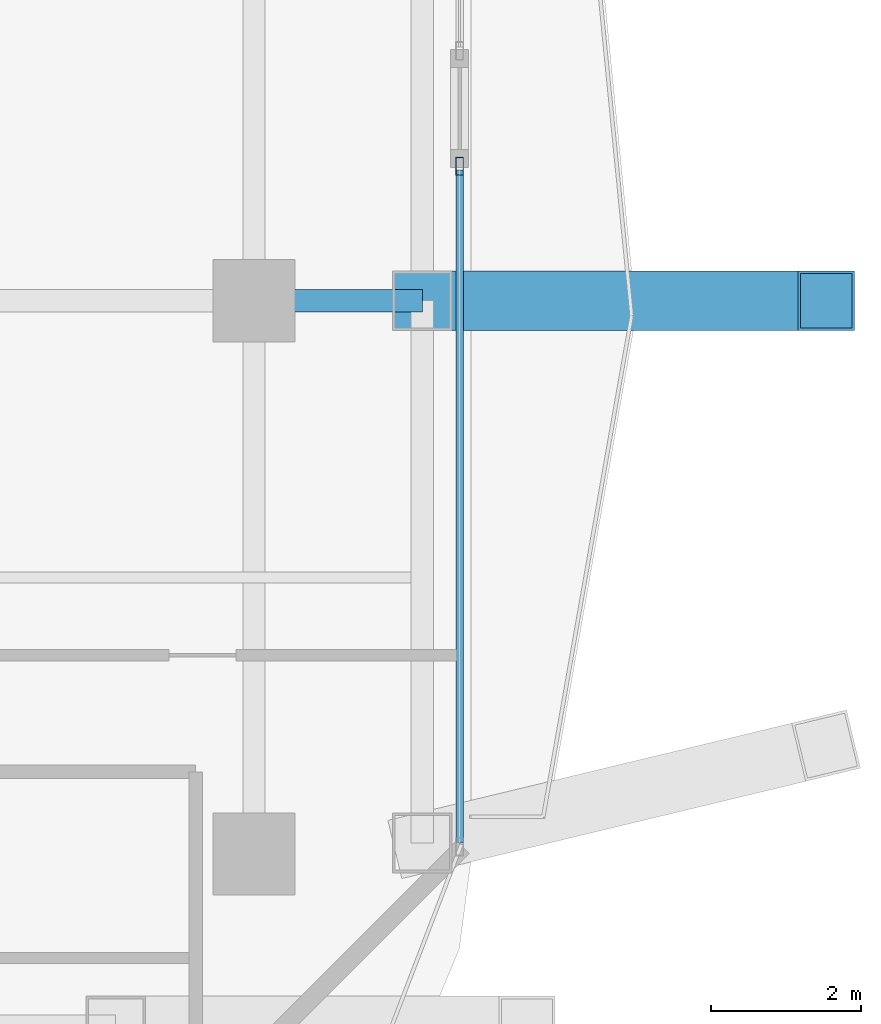
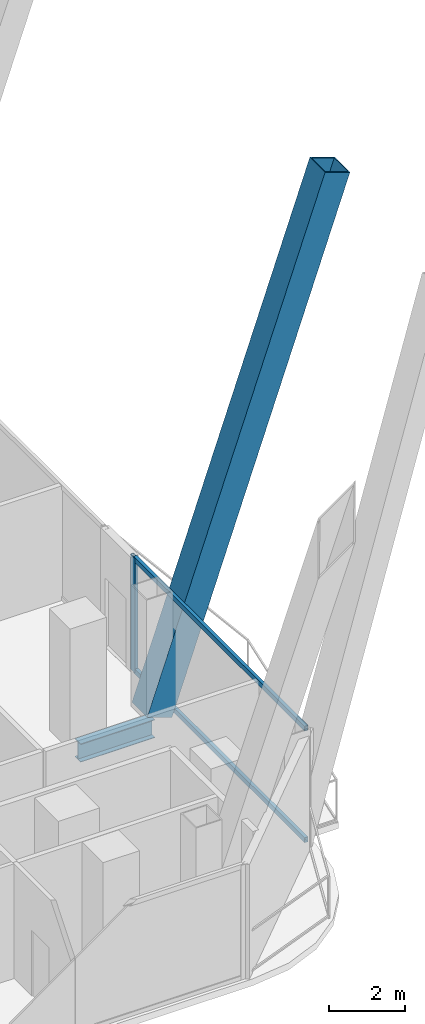
# One storey, part 12 of 32: 4 members, 1 beam, 1 element without a shape of its own.
"""IFC4 building model written with IfcOpenShell, lengths in metres."""

from ifc_helpers import new_model, si_unit, direction, frame, origin, origin_2d, place, context, subcontext, project, spatial, hollow_rectangle, i_section, extrude, material, layer, layer_set, material_profile, profile_set, type_object, element, aggregate, save


model = new_model("IFC4")

# Units and contexts
model_context = context("Model", 3, precision=1e-05, world=origin(), true_north=direction((0.0, 1.0)))
body_context = subcontext(model_context, "Body", "Model", "MODEL_VIEW")
ifc_project = project(units=[si_unit("LENGTHUNIT", "METRE"), si_unit("AREAUNIT", "SQUARE_METRE"), si_unit("VOLUMEUNIT", "CUBIC_METRE"), si_unit("PLANEANGLEUNIT", "RADIAN"), si_unit("MASSUNIT", "GRAM", prefix="KILO")], contexts=[model_context])

# Site, building, storey
site_placement = place(None, origin())
site = spatial("IfcSite", under=ifc_project, at=site_placement, CompositionType="ELEMENT")
building_placement = place(site_placement, origin())
building = spatial("IfcBuilding", under=site, at=building_placement, Name="Khorvyn Point Tower", CompositionType="ELEMENT")
storey_placement = place(building_placement, frame((0.0, 0.0, 93.0)))
storey = spatial("IfcBuildingStorey", under=building, at=storey_placement, Name="L23", CompositionType="ELEMENT", Elevation=93.0)

# Curtain wall, members
ifc_material_1 = material(Name="Anodised aluminium 6063-T6 and laminated Low-E glass", Category="aluminium")
ifc_layer = layer(ifc_material_1, 0.18994140625)
ifc_layer_set = layer_set([ifc_layer], Name="Stick-Built Finned Residential Curtain Wall CW-SYS-02")
curtain_wall_type = type_object("IfcCurtainWallType", Name="Stick-Built Finned Residential Curtain Wall CW-SYS-02", PredefinedType="NOTDEFINED", material=ifc_layer_set)
curtain_wall_placement = place(storey_placement, origin())
curtain_wall = element("IfcCurtainWall", 1, at=curtain_wall_placement, inside=storey, type_object=curtain_wall_type, Name="Curtain Wall", PredefinedType="NOTDEFINED")
ifc_material_2 = material(Name="Anodised aluminium 6063-T6", Category="aluminium")
ifc_material_profile_1 = material_profile(ifc_material_2, hollow_rectangle(XDim=0.10009765625, YDim=0.239990234375, WallThickness=0.0048828125, at=origin_2d()))
ifc_profile_set_1 = profile_set([ifc_material_profile_1], Name="Anodised aluminium 6063-T6 ALU-MUL-100x240")
member_type_1 = type_object("IfcMemberType", Name="Anodised Aluminium 6063-T6 Mullion ALU-MUL-100x240", PredefinedType="MULLION", material=ifc_profile_set_1)
member_1_placement = place(storey_placement, frame((22.14990234375, -5.60009765625, 0.0), z_axis=(0.0, 0.0, 1.0), x_axis=(1.0, 0.0, 0.0)))
member_1 = element("IfcMember", 2, at=member_1_placement, type_object=member_type_1, Name="Transom", PredefinedType="MULLION", context=body_context, shape_type="SweptSolid", body=[
    extrude(hollow_rectangle(XDim=0.10009765625, YDim=0.239990234375, WallThickness=0.0048828125, at=origin_2d()), origin(), (0.0, 0.0, 1.0), 3.679931640625),
])
ifc_material_profile_2 = material_profile(ifc_material_2, hollow_rectangle(XDim=0.10009765625, YDim=0.159912109375, WallThickness=0.00439453125, at=origin_2d()))
ifc_profile_set_2 = profile_set([ifc_material_profile_2], Name="Anodised aluminium 6063-T6 ALU-TRN-100x160")
member_type_2 = type_object("IfcMemberType", Name="Anodised Aluminium 6063-T6 Transom ALU-TRN-100x160", PredefinedType="USERDEFINED", material=ifc_profile_set_2)
member_2_placement = place(storey_placement, frame((22.14990234375, -5.64990234375, 0.050048828125), z_axis=(0.0, -1.0, 0.0), x_axis=(1.0, 0.0, 0.0)))
member_2 = element("IfcMember", 3, at=member_2_placement, type_object=member_type_2, Name="Transom", ObjectType="TRANSOM", PredefinedType="USERDEFINED", context=body_context, shape_type="SweptSolid", body=[
    extrude(hollow_rectangle(XDim=0.10009765625, YDim=0.159912109375, WallThickness=0.00439453125, at=origin_2d()), origin(), (0.0, 0.0, 1.0), 9.0),
])
member_3_placement = place(storey_placement, frame((22.14990234375, -5.64990234375, 3.6298828125), z_axis=(0.0, -1.0, 0.0), x_axis=(1.0, 0.0, 0.0)))
member_3 = element("IfcMember", 4, at=member_3_placement, type_object=member_type_2, Name="Transom", ObjectType="TRANSOM", PredefinedType="USERDEFINED", context=body_context, shape_type="SweptSolid", body=[
    extrude(hollow_rectangle(XDim=0.10009765625, YDim=0.159912109375, WallThickness=0.00439453125, at=origin_2d()), origin(), (0.0, 0.0, 1.0), 9.0),
])
aggregate(curtain_wall, [member_1, member_2, member_3])

# Beam
ifc_material_3 = material(Name="Steel S355", Category="steel")
ifc_material_profile_3 = material_profile(ifc_material_3, i_section(OverallWidth=0.300048828125, OverallDepth=0.587890625, WebThickness=0.011962890625, FlangeThickness=0.02001953125, at=origin_2d()))
ifc_profile_set_3 = profile_set([ifc_material_profile_3], Name="Steel S355 H588x300x12x20")
beam_type = type_object("IfcBeamType", Name="Steel S355 Beam H588x300x12x20", PredefinedType="BEAM", material=ifc_profile_set_3)
beam_placement = place(storey_placement, frame((19.39990234375, -7.39990234375, -0.513916015625), z_axis=(1.0, 0.0, 0.0), x_axis=(0.0, 1.0, 0.0)))
element("IfcBeam", 5, at=beam_placement, inside=storey, type_object=beam_type, Name="Beam", PredefinedType="BEAM", context=body_context, shape_type="SweptSolid", body=[
    extrude(i_section(OverallWidth=0.300048828125, OverallDepth=0.587890625, WebThickness=0.011962890625, FlangeThickness=0.02001953125, at=origin_2d()), origin(), (0.0, 0.0, 1.0), 2.25),
])

# Member
ifc_material_4 = material(Name="Steel S450", Category="steel")
ifc_material_profile_4 = material_profile(ifc_material_4, hollow_rectangle(XDim=0.800048828125, YDim=0.800048828125, WallThickness=0.035888671875, at=origin_2d()))
ifc_profile_set_4 = profile_set([ifc_material_profile_4], Name="Steel S450 BOX800x800x36")
member_type_3 = type_object("IfcMemberType", Name="Steel S450 Exoskeleton Structural Post BOX800x800x36", PredefinedType="POST", material=ifc_profile_set_4)
member_4_placement = place(storey_placement, frame((21.64990234375, -7.39990234375, 0.0), z_axis=(0.327116659188, 0.0, 0.944983963505), x_axis=(0.0, 1.0, 0.0)))
element("IfcMember", 6, at=member_4_placement, inside=storey, type_object=member_type_3, Name="L23 to L27 Exoskeleton Transfer Post 11", PredefinedType="POST", context=body_context, shape_type="SweptSolid", body=[
    extrude(hollow_rectangle(XDim=0.800048828125, YDim=0.800048828125, WallThickness=0.035888671875, at=origin_2d()), origin(), (0.0, 0.0, 1.0), 16.50830078125),
])

save(model, "model.ifc")
